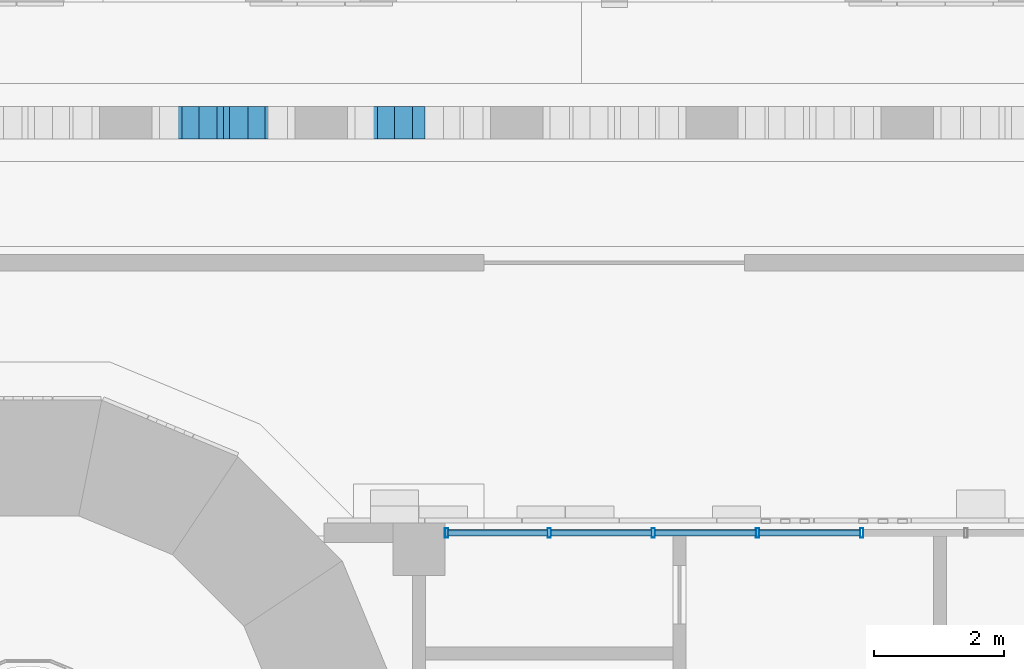
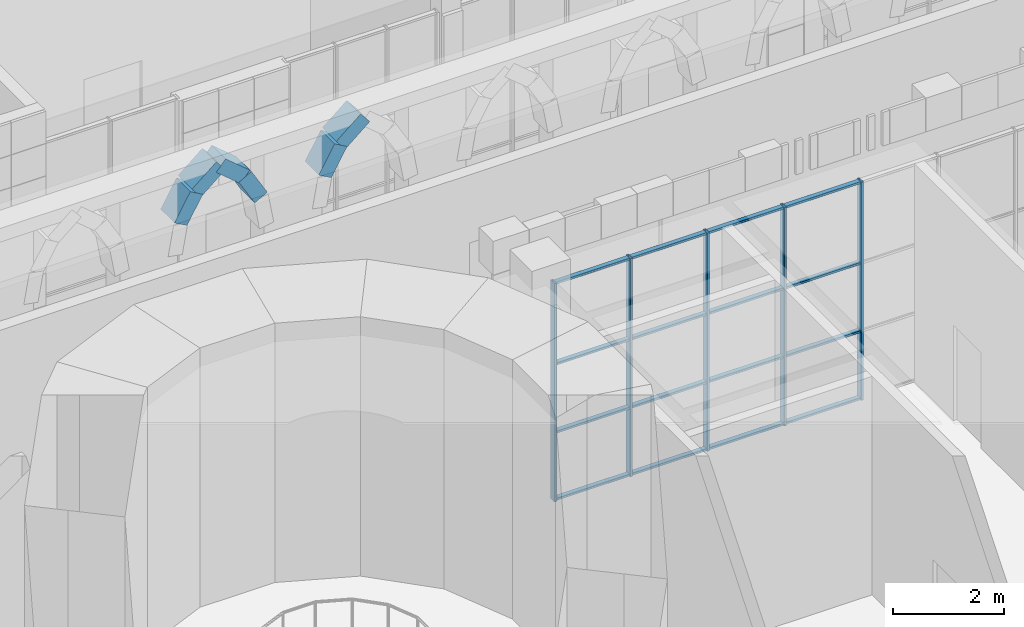
# One storey, part 8 of 125: 27 members, 1 element without a shape of its own.
"""IFC4 building model written with IfcOpenShell, lengths in metres."""

from ifc_helpers import new_model, si_unit, direction, frame, origin, origin_2d, place, context, subcontext, project, spatial, rectangle, hollow_rectangle, extrude, material, material_profile, profile_set, type_object, element, aggregate, save


model = new_model("IFC4")

# Units and contexts
model_context = context("Model", 3, precision=1e-05, world=origin(), true_north=direction((0.0, 1.0)))
body_context = subcontext(model_context, "Body", "Model", "MODEL_VIEW")
ifc_project = project(units=[si_unit("LENGTHUNIT", "METRE"), si_unit("AREAUNIT", "SQUARE_METRE"), si_unit("VOLUMEUNIT", "CUBIC_METRE"), si_unit("PLANEANGLEUNIT", "RADIAN"), si_unit("MASSUNIT", "GRAM", prefix="KILO")], contexts=[model_context])

# Site, building, storey
site_placement = place(None, origin())
site = spatial("IfcSite", under=ifc_project, at=site_placement, CompositionType="ELEMENT")
building_placement = place(site_placement, origin())
building = spatial("IfcBuilding", under=site, at=building_placement, Name="Sun Court Science Centre", CompositionType="ELEMENT")
storey_placement = place(building_placement, origin())
storey = spatial("IfcBuildingStorey", under=building, at=storey_placement, Name="L00", CompositionType="ELEMENT", Elevation=0.0)

# Members
ifc_material_1 = material(Name="Concrete C30/37", Category="concrete")
ifc_material_profile_1 = material_profile(ifc_material_1, rectangle(XDim=0.5, YDim=0.300048828125, at=origin_2d()), Name="RC 500x300")
ifc_profile_set_1 = profile_set([ifc_material_profile_1], Name="Concrete C30/37")
member_type_1 = type_object("IfcMemberType", Name="Arcade arch rib RC 500x300", PredefinedType="MEMBER", material=ifc_profile_set_1)
member_1_placement = place(storey_placement, frame((44.16455078125, 34.14990234375, 3.8798828125), z_axis=(0.500117354631, 0.0, 0.865957638454), x_axis=(0.0, 1.0, 0.0)))
element("IfcMember", 1, at=member_1_placement, inside=storey, type_object=member_type_1, Name="Arcade arch rib AR1 bay 07", PredefinedType="MEMBER", context=body_context, shape_type="SweptSolid", body=[
    extrude(rectangle(XDim=0.5, YDim=0.300048828125, at=origin_2d()), origin(), (0.0, 0.0, 1.0), 0.659912109375),
])
member_2_placement = place(storey_placement, frame((44.49462890625, 34.14990234375, 4.451416015625), z_axis=(0.76603282395, 0.0, 0.642801456619), x_axis=(0.0, 1.0, 0.0)))
element("IfcMember", 2, at=member_2_placement, inside=storey, type_object=member_type_1, Name="Arcade arch rib AR1 bay 07", PredefinedType="MEMBER", context=body_context, shape_type="SweptSolid", body=[
    extrude(rectangle(XDim=0.5, YDim=0.300048828125, at=origin_2d()), origin(), (0.0, 0.0, 1.0), 0.65966796875),
])
member_3_placement = place(storey_placement, frame((45.83544921875, 34.14990234375, 3.8798828125), z_axis=(-0.500117354631, 0.0, 0.865957638454), x_axis=(0.0, -1.0, 0.0)))
element("IfcMember", 3, at=member_3_placement, inside=storey, type_object=member_type_1, Name="Arcade arch rib AR1 bay 07", PredefinedType="MEMBER", context=body_context, shape_type="SweptSolid", body=[
    extrude(rectangle(XDim=0.5, YDim=0.300048828125, at=origin_2d()), origin(), (0.0, 0.0, 1.0), 0.659912109375),
])
member_4_placement = place(storey_placement, frame((45.50537109375, 34.14990234375, 4.451416015625), z_axis=(-0.76603282395, 0.0, 0.642801456619), x_axis=(0.0, -1.0, 0.0)))
element("IfcMember", 4, at=member_4_placement, inside=storey, type_object=member_type_1, Name="Arcade arch rib AR1 bay 07", PredefinedType="MEMBER", context=body_context, shape_type="SweptSolid", body=[
    extrude(rectangle(XDim=0.5, YDim=0.300048828125, at=origin_2d()), origin(), (0.0, 0.0, 1.0), 0.65966796875),
])
member_5_placement = place(storey_placement, frame((47.16455078125, 34.14990234375, 3.8798828125), z_axis=(0.500117354631, 0.0, 0.865957638454), x_axis=(0.0, 1.0, 0.0)))
element("IfcMember", 5, at=member_5_placement, inside=storey, type_object=member_type_1, Name="Arcade arch rib AR1 bay 08", PredefinedType="MEMBER", context=body_context, shape_type="SweptSolid", body=[
    extrude(rectangle(XDim=0.5, YDim=0.300048828125, at=origin_2d()), origin(), (0.0, 0.0, 1.0), 0.659912109375),
])
member_6_placement = place(storey_placement, frame((47.49462890625, 34.14990234375, 4.451416015625), z_axis=(0.76603282395, 0.0, 0.642801456619), x_axis=(0.0, 1.0, 0.0)))
element("IfcMember", 6, at=member_6_placement, inside=storey, type_object=member_type_1, Name="Arcade arch rib AR1 bay 08", PredefinedType="MEMBER", context=body_context, shape_type="SweptSolid", body=[
    extrude(rectangle(XDim=0.5, YDim=0.300048828125, at=origin_2d()), origin(), (0.0, 0.0, 1.0), 0.65966796875),
])

# Curtain wall, members
ifc_material_2 = material(Name="Aluminium EN AW-6063 T6", Category="aluminium")
curtain_wall_type = type_object("IfcCurtainWallType", Name="Court gallery curtain wall 1500", PredefinedType="NOTDEFINED", material=ifc_material_2)
curtain_wall_placement = place(storey_placement, origin())
curtain_wall = element("IfcCurtainWall", 7, at=curtain_wall_placement, inside=storey, type_object=curtain_wall_type, Name="Curtain wall V2 N L00 02", PredefinedType="NOTDEFINED")
ifc_material_3 = material(Name="Aluminium EN AW-6063 T6", Category="aluminium")
ifc_material_profile_2 = material_profile(ifc_material_3, hollow_rectangle(XDim=0.050048828125, YDim=0.14990234375, WallThickness=0.00390625, InnerFilletRadius=0.00390625, OuterFilletRadius=0.006103515625, at=origin_2d()), Name="AL 50x150x4")
ifc_profile_set_2 = profile_set([ifc_material_profile_2], Name="Aluminium EN AW-6063 T6")
member_type_2 = type_object("IfcMemberType", Name="Curtain wall mullion AL 50x150", PredefinedType="MULLION", material=ifc_profile_set_2)
member_7_placement = place(storey_placement, frame((48.425048828125, 27.85009765625, 0.0), z_axis=(0.0, 0.0, 1.0), x_axis=(1.0, 0.0, 0.0)))
member_7 = element("IfcMember", 8, at=member_7_placement, type_object=member_type_2, Name="CW5-02 mullion 1", PredefinedType="MULLION", context=body_context, shape_type="SweptSolid", body=[
    extrude(hollow_rectangle(XDim=0.050048828125, YDim=0.14990234375, WallThickness=0.00390625, InnerFilletRadius=0.00390625, OuterFilletRadius=0.006103515625, at=origin_2d()), origin(), (0.0, 0.0, 1.0), 4.800048828125),
])
member_8_placement = place(storey_placement, frame((50.0, 27.85009765625, 0.0), z_axis=(0.0, 0.0, 1.0), x_axis=(1.0, 0.0, 0.0)))
member_8 = element("IfcMember", 9, at=member_8_placement, type_object=member_type_2, Name="CW5-02 mullion 2", PredefinedType="MULLION", context=body_context, shape_type="SweptSolid", body=[
    extrude(hollow_rectangle(XDim=0.050048828125, YDim=0.14990234375, WallThickness=0.00390625, InnerFilletRadius=0.00390625, OuterFilletRadius=0.006103515625, at=origin_2d()), origin(), (0.0, 0.0, 1.0), 4.800048828125),
])
member_9_placement = place(storey_placement, frame((51.60009765625, 27.85009765625, 0.0), z_axis=(0.0, 0.0, 1.0), x_axis=(1.0, 0.0, 0.0)))
member_9 = element("IfcMember", 10, at=member_9_placement, type_object=member_type_2, Name="CW5-02 mullion 3", PredefinedType="MULLION", context=body_context, shape_type="SweptSolid", body=[
    extrude(hollow_rectangle(XDim=0.050048828125, YDim=0.14990234375, WallThickness=0.00390625, InnerFilletRadius=0.00390625, OuterFilletRadius=0.006103515625, at=origin_2d()), origin(), (0.0, 0.0, 1.0), 4.800048828125),
])
member_10_placement = place(storey_placement, frame((53.199951171875, 27.85009765625, 0.0), z_axis=(0.0, 0.0, 1.0), x_axis=(1.0, 0.0, 0.0)))
member_10 = element("IfcMember", 11, at=member_10_placement, type_object=member_type_2, Name="CW5-02 mullion 4", PredefinedType="MULLION", context=body_context, shape_type="SweptSolid", body=[
    extrude(hollow_rectangle(XDim=0.050048828125, YDim=0.14990234375, WallThickness=0.00390625, InnerFilletRadius=0.00390625, OuterFilletRadius=0.006103515625, at=origin_2d()), origin(), (0.0, 0.0, 1.0), 4.800048828125),
])
member_11_placement = place(storey_placement, frame((54.800048828125, 27.85009765625, 0.0), z_axis=(0.0, 0.0, 1.0), x_axis=(1.0, 0.0, 0.0)))
member_11 = element("IfcMember", 12, at=member_11_placement, type_object=member_type_2, Name="CW5-02 mullion 5", PredefinedType="MULLION", context=body_context, shape_type="SweptSolid", body=[
    extrude(hollow_rectangle(XDim=0.050048828125, YDim=0.14990234375, WallThickness=0.00390625, InnerFilletRadius=0.00390625, OuterFilletRadius=0.006103515625, at=origin_2d()), origin(), (0.0, 0.0, 1.0), 4.800048828125),
])
ifc_material_4 = material(Name="Aluminium EN AW-6063 T6", Category="aluminium")
ifc_material_profile_3 = material_profile(ifc_material_4, hollow_rectangle(XDim=0.050048828125, YDim=0.10009765625, WallThickness=0.00390625, InnerFilletRadius=0.00390625, OuterFilletRadius=0.006103515625, at=origin_2d()), Name="AL 50x100x4")
ifc_profile_set_3 = profile_set([ifc_material_profile_3], Name="Aluminium EN AW-6063 T6")
member_type_3 = type_object("IfcMemberType", Name="Curtain wall transom AL 50x100", PredefinedType="USERDEFINED", material=ifc_profile_set_3)
member_12_placement = place(storey_placement, frame((48.449951171875, 27.85009765625, 0.02490234375), z_axis=(1.0, 0.0, 0.0), x_axis=(0.0, 0.0, 1.0)))
member_12 = element("IfcMember", 13, at=member_12_placement, type_object=member_type_3, Name="CW5-02 transom 1.1", ObjectType="TRANSOM", PredefinedType="USERDEFINED", context=body_context, shape_type="SweptSolid", body=[
    extrude(hollow_rectangle(XDim=0.050048828125, YDim=0.10009765625, WallThickness=0.00390625, InnerFilletRadius=0.00390625, OuterFilletRadius=0.006103515625, at=origin_2d()), origin(), (0.0, 0.0, 1.0), 1.525146484375),
])
member_13_placement = place(storey_placement, frame((50.02490234375, 27.85009765625, 0.02490234375), z_axis=(1.0, 0.0, 0.0), x_axis=(0.0, 0.0, 1.0)))
member_13 = element("IfcMember", 14, at=member_13_placement, type_object=member_type_3, Name="CW5-02 transom 2.1", ObjectType="TRANSOM", PredefinedType="USERDEFINED", context=body_context, shape_type="SweptSolid", body=[
    extrude(hollow_rectangle(XDim=0.050048828125, YDim=0.10009765625, WallThickness=0.00390625, InnerFilletRadius=0.00390625, OuterFilletRadius=0.006103515625, at=origin_2d()), origin(), (0.0, 0.0, 1.0), 1.550048828125),
])
member_14_placement = place(storey_placement, frame((51.625, 27.85009765625, 0.02490234375), z_axis=(1.0, 0.0, 0.0), x_axis=(0.0, 0.0, 1.0)))
member_14 = element("IfcMember", 15, at=member_14_placement, type_object=member_type_3, Name="CW5-02 transom 3.1", ObjectType="TRANSOM", PredefinedType="USERDEFINED", context=body_context, shape_type="SweptSolid", body=[
    extrude(hollow_rectangle(XDim=0.050048828125, YDim=0.10009765625, WallThickness=0.00390625, InnerFilletRadius=0.00390625, OuterFilletRadius=0.006103515625, at=origin_2d()), origin(), (0.0, 0.0, 1.0), 1.550048828125),
])
member_15_placement = place(storey_placement, frame((53.22509765625, 27.85009765625, 0.02490234375), z_axis=(1.0, 0.0, 0.0), x_axis=(0.0, 0.0, 1.0)))
member_15 = element("IfcMember", 16, at=member_15_placement, type_object=member_type_3, Name="CW5-02 transom 4.1", ObjectType="TRANSOM", PredefinedType="USERDEFINED", context=body_context, shape_type="SweptSolid", body=[
    extrude(hollow_rectangle(XDim=0.050048828125, YDim=0.10009765625, WallThickness=0.00390625, InnerFilletRadius=0.00390625, OuterFilletRadius=0.006103515625, at=origin_2d()), origin(), (0.0, 0.0, 1.0), 1.5498046875),
])
member_16_placement = place(storey_placement, frame((48.449951171875, 27.85009765625, 1.5), z_axis=(1.0, 0.0, 0.0), x_axis=(0.0, 0.0, 1.0)))
member_16 = element("IfcMember", 17, at=member_16_placement, type_object=member_type_3, Name="CW5-02 transom 1.2", ObjectType="TRANSOM", PredefinedType="USERDEFINED", context=body_context, shape_type="SweptSolid", body=[
    extrude(hollow_rectangle(XDim=0.050048828125, YDim=0.10009765625, WallThickness=0.00390625, InnerFilletRadius=0.00390625, OuterFilletRadius=0.006103515625, at=origin_2d()), origin(), (0.0, 0.0, 1.0), 1.525146484375),
])
member_17_placement = place(storey_placement, frame((50.02490234375, 27.85009765625, 1.5), z_axis=(1.0, 0.0, 0.0), x_axis=(0.0, 0.0, 1.0)))
member_17 = element("IfcMember", 18, at=member_17_placement, type_object=member_type_3, Name="CW5-02 transom 2.2", ObjectType="TRANSOM", PredefinedType="USERDEFINED", context=body_context, shape_type="SweptSolid", body=[
    extrude(hollow_rectangle(XDim=0.050048828125, YDim=0.10009765625, WallThickness=0.00390625, InnerFilletRadius=0.00390625, OuterFilletRadius=0.006103515625, at=origin_2d()), origin(), (0.0, 0.0, 1.0), 1.550048828125),
])
member_18_placement = place(storey_placement, frame((51.625, 27.85009765625, 1.5), z_axis=(1.0, 0.0, 0.0), x_axis=(0.0, 0.0, 1.0)))
member_18 = element("IfcMember", 19, at=member_18_placement, type_object=member_type_3, Name="CW5-02 transom 3.2", ObjectType="TRANSOM", PredefinedType="USERDEFINED", context=body_context, shape_type="SweptSolid", body=[
    extrude(hollow_rectangle(XDim=0.050048828125, YDim=0.10009765625, WallThickness=0.00390625, InnerFilletRadius=0.00390625, OuterFilletRadius=0.006103515625, at=origin_2d()), origin(), (0.0, 0.0, 1.0), 1.550048828125),
])
member_19_placement = place(storey_placement, frame((53.22509765625, 27.85009765625, 1.5), z_axis=(1.0, 0.0, 0.0), x_axis=(0.0, 0.0, 1.0)))
member_19 = element("IfcMember", 20, at=member_19_placement, type_object=member_type_3, Name="CW5-02 transom 4.2", ObjectType="TRANSOM", PredefinedType="USERDEFINED", context=body_context, shape_type="SweptSolid", body=[
    extrude(hollow_rectangle(XDim=0.050048828125, YDim=0.10009765625, WallThickness=0.00390625, InnerFilletRadius=0.00390625, OuterFilletRadius=0.006103515625, at=origin_2d()), origin(), (0.0, 0.0, 1.0), 1.5498046875),
])
member_20_placement = place(storey_placement, frame((48.449951171875, 27.85009765625, 3.0), z_axis=(1.0, 0.0, 0.0), x_axis=(0.0, 0.0, 1.0)))
member_20 = element("IfcMember", 21, at=member_20_placement, type_object=member_type_3, Name="CW5-02 transom 1.3", ObjectType="TRANSOM", PredefinedType="USERDEFINED", context=body_context, shape_type="SweptSolid", body=[
    extrude(hollow_rectangle(XDim=0.050048828125, YDim=0.10009765625, WallThickness=0.00390625, InnerFilletRadius=0.00390625, OuterFilletRadius=0.006103515625, at=origin_2d()), origin(), (0.0, 0.0, 1.0), 1.525146484375),
])
member_21_placement = place(storey_placement, frame((50.02490234375, 27.85009765625, 3.0), z_axis=(1.0, 0.0, 0.0), x_axis=(0.0, 0.0, 1.0)))
member_21 = element("IfcMember", 22, at=member_21_placement, type_object=member_type_3, Name="CW5-02 transom 2.3", ObjectType="TRANSOM", PredefinedType="USERDEFINED", context=body_context, shape_type="SweptSolid", body=[
    extrude(hollow_rectangle(XDim=0.050048828125, YDim=0.10009765625, WallThickness=0.00390625, InnerFilletRadius=0.00390625, OuterFilletRadius=0.006103515625, at=origin_2d()), origin(), (0.0, 0.0, 1.0), 1.550048828125),
])
member_22_placement = place(storey_placement, frame((51.625, 27.85009765625, 3.0), z_axis=(1.0, 0.0, 0.0), x_axis=(0.0, 0.0, 1.0)))
member_22 = element("IfcMember", 23, at=member_22_placement, type_object=member_type_3, Name="CW5-02 transom 3.3", ObjectType="TRANSOM", PredefinedType="USERDEFINED", context=body_context, shape_type="SweptSolid", body=[
    extrude(hollow_rectangle(XDim=0.050048828125, YDim=0.10009765625, WallThickness=0.00390625, InnerFilletRadius=0.00390625, OuterFilletRadius=0.006103515625, at=origin_2d()), origin(), (0.0, 0.0, 1.0), 1.550048828125),
])
member_23_placement = place(storey_placement, frame((53.22509765625, 27.85009765625, 3.0), z_axis=(1.0, 0.0, 0.0), x_axis=(0.0, 0.0, 1.0)))
member_23 = element("IfcMember", 24, at=member_23_placement, type_object=member_type_3, Name="CW5-02 transom 4.3", ObjectType="TRANSOM", PredefinedType="USERDEFINED", context=body_context, shape_type="SweptSolid", body=[
    extrude(hollow_rectangle(XDim=0.050048828125, YDim=0.10009765625, WallThickness=0.00390625, InnerFilletRadius=0.00390625, OuterFilletRadius=0.006103515625, at=origin_2d()), origin(), (0.0, 0.0, 1.0), 1.5498046875),
])
member_24_placement = place(storey_placement, frame((48.449951171875, 27.85009765625, 4.77490234375), z_axis=(1.0, 0.0, 0.0), x_axis=(0.0, 0.0, 1.0)))
member_24 = element("IfcMember", 25, at=member_24_placement, type_object=member_type_3, Name="CW5-02 transom 1.4", ObjectType="TRANSOM", PredefinedType="USERDEFINED", context=body_context, shape_type="SweptSolid", body=[
    extrude(hollow_rectangle(XDim=0.050048828125, YDim=0.10009765625, WallThickness=0.00390625, InnerFilletRadius=0.00390625, OuterFilletRadius=0.006103515625, at=origin_2d()), origin(), (0.0, 0.0, 1.0), 1.525146484375),
])
member_25_placement = place(storey_placement, frame((50.02490234375, 27.85009765625, 4.77490234375), z_axis=(1.0, 0.0, 0.0), x_axis=(0.0, 0.0, 1.0)))
member_25 = element("IfcMember", 26, at=member_25_placement, type_object=member_type_3, Name="CW5-02 transom 2.4", ObjectType="TRANSOM", PredefinedType="USERDEFINED", context=body_context, shape_type="SweptSolid", body=[
    extrude(hollow_rectangle(XDim=0.050048828125, YDim=0.10009765625, WallThickness=0.00390625, InnerFilletRadius=0.00390625, OuterFilletRadius=0.006103515625, at=origin_2d()), origin(), (0.0, 0.0, 1.0), 1.550048828125),
])
member_26_placement = place(storey_placement, frame((51.625, 27.85009765625, 4.77490234375), z_axis=(1.0, 0.0, 0.0), x_axis=(0.0, 0.0, 1.0)))
member_26 = element("IfcMember", 27, at=member_26_placement, type_object=member_type_3, Name="CW5-02 transom 3.4", ObjectType="TRANSOM", PredefinedType="USERDEFINED", context=body_context, shape_type="SweptSolid", body=[
    extrude(hollow_rectangle(XDim=0.050048828125, YDim=0.10009765625, WallThickness=0.00390625, InnerFilletRadius=0.00390625, OuterFilletRadius=0.006103515625, at=origin_2d()), origin(), (0.0, 0.0, 1.0), 1.550048828125),
])
member_27_placement = place(storey_placement, frame((53.22509765625, 27.85009765625, 4.77490234375), z_axis=(1.0, 0.0, 0.0), x_axis=(0.0, 0.0, 1.0)))
member_27 = element("IfcMember", 28, at=member_27_placement, type_object=member_type_3, Name="CW5-02 transom 4.4", ObjectType="TRANSOM", PredefinedType="USERDEFINED", context=body_context, shape_type="SweptSolid", body=[
    extrude(hollow_rectangle(XDim=0.050048828125, YDim=0.10009765625, WallThickness=0.00390625, InnerFilletRadius=0.00390625, OuterFilletRadius=0.006103515625, at=origin_2d()), origin(), (0.0, 0.0, 1.0), 1.5498046875),
])
aggregate(curtain_wall, [member_7, member_8, member_9, member_10, member_11, member_12, member_13, member_14, member_15, member_16, member_17, member_18, member_19, member_20, member_21, member_22, member_23, member_24, member_25, member_26, member_27])

save(model, "model.ifc")
